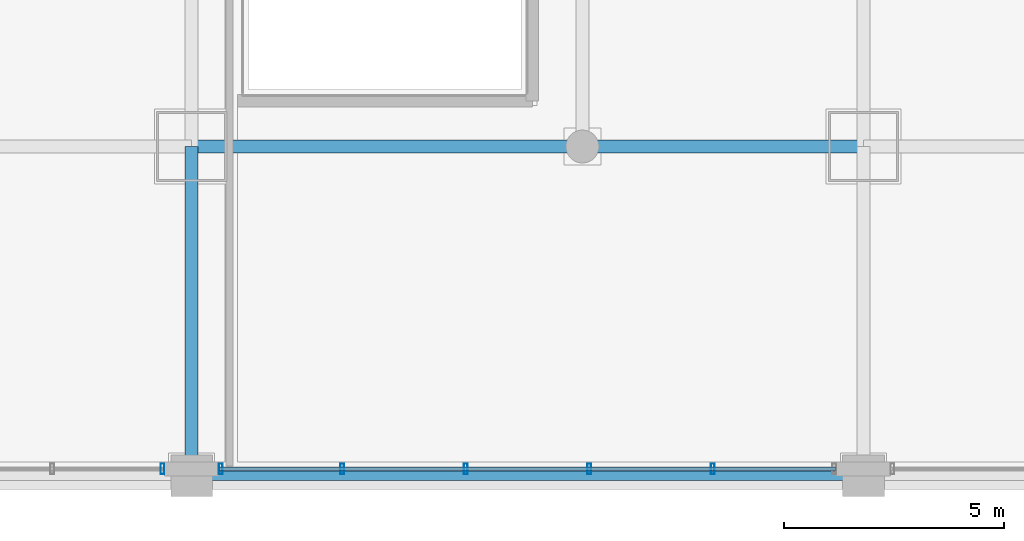
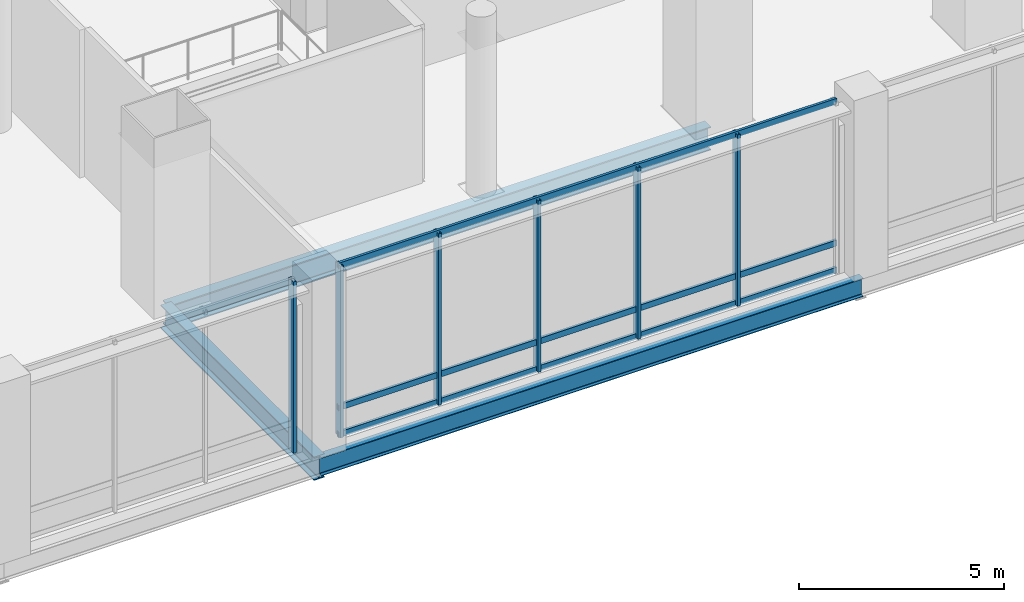
# One storey, part 4 of 39: 9 members, 3 beams, 2 elements without a shape of their own.
"""IFC4 building model written with IfcOpenShell, lengths in metres."""

import ifcopenshell
import ifcopenshell.guid

model = None  # the IFC model being written
_history = None  # IfcOwnerHistory: only IFC2X3 demands one
_inside = {}  # id of a spatial element -> (the spatial element, [elements in it])
_under = {}  # id of a project, library or spatial element -> (it, [spatial elements below it])
_declared = {}  # id of a project -> (the project, [libraries it declares])
_typed = {}  # id of a type object -> (the type object, [elements of that type])
_made_of = {}  # id of a material, layer set ... -> (it, [elements and type objects made of it])


def new_model(schema):
    """Start an empty IFC model of exactly this schema.

    Asked for "IFC4X3", IfcOpenShell would pick the latest addendum, in which some entities
    have other attributes; the version numbers below select the first issue.
    IFC2X3 requires an IfcOwnerHistory on every rooted entity: one is made here for all.
    """
    global model, _history
    if schema == "IFC4X3":
        model = ifcopenshell.file(schema_version=(4, 3, 0, 0))
    else:
        model = ifcopenshell.file(schema=schema)
    _inside.clear()
    _under.clear()
    _declared.clear()
    _typed.clear()
    _made_of.clear()
    _history = None
    if model.schema == "IFC2X3":
        org = make("IfcOrganization", Name="unknown")
        user = make(
            "IfcPersonAndOrganization",
            ThePerson=make("IfcPerson", FamilyName="unknown"),
            TheOrganization=org,
        )
        app = make(
            "IfcApplication",
            ApplicationDeveloper=org,
            Version="unknown",
            ApplicationFullName="unknown",
            ApplicationIdentifier="unknown",
        )
        _history = make(
            "IfcOwnerHistory",
            OwningUser=user,
            OwningApplication=app,
            ChangeAction="ADDED",
            CreationDate=0,
        )
    return model


def make(cls, **values):
    """One entity of the class cls with the attributes given. An attribute that is None is left unset."""
    return model.create_entity(
        cls, **{name: value for name, value in values.items() if value is not None}
    )


def rooted(cls, **values):
    """An entity with a GlobalId (a new one), such as an element, a storey or a relation."""
    return make(cls, GlobalId=ifcopenshell.guid.new(), OwnerHistory=_history, **values)


def si_unit(unit_type, name, prefix=None):
    """IfcSIUnit, for example si_unit("LENGTHUNIT", "METRE", prefix="MILLI")."""
    return make("IfcSIUnit", UnitType=unit_type, Prefix=prefix, Name=name)


def assignment(units):
    """IfcUnitAssignment: the units of a project."""
    return None if units is None else make("IfcUnitAssignment", Units=units)


def point(xyz):
    """IfcCartesianPoint."""
    return None if xyz is None else make("IfcCartesianPoint", Coordinates=xyz)


def direction(xyz):
    """IfcDirection."""
    return None if xyz is None else make("IfcDirection", DirectionRatios=xyz)


def frame(location, z_axis=None, x_axis=None):
    """IfcAxis2Placement3D, a coordinate frame: its origin and axes. An axis left out is left unset."""
    return make(
        "IfcAxis2Placement3D",
        Location=point(location),
        Axis=direction(z_axis),
        RefDirection=direction(x_axis),
    )


def frame_2d(location, x_axis=None):
    """IfcAxis2Placement2D, a coordinate frame in the plane: its origin and x axis."""
    return make(
        "IfcAxis2Placement2D", Location=point(location), RefDirection=direction(x_axis)
    )


def origin():
    """The frame at (0, 0, 0) with its axes left unset."""
    return frame((0.0, 0.0, 0.0))


def origin_2d():
    """The frame at (0, 0) in the plane with its x axis left unset."""
    return frame_2d((0.0, 0.0))


def place(relative_to, where):
    """IfcLocalPlacement: puts the frame where relative to a parent placement (None: the world)."""
    return make(
        "IfcLocalPlacement", PlacementRelTo=relative_to, RelativePlacement=where
    )


def context(
    kind, dimensions, precision=None, world=None, true_north=None, identifier=None
):
    """IfcGeometricRepresentationContext, for example the 3D "Model" context."""
    return make(
        "IfcGeometricRepresentationContext",
        ContextIdentifier=identifier,
        ContextType=kind,
        CoordinateSpaceDimension=dimensions,
        Precision=precision,
        WorldCoordinateSystem=world,
        TrueNorth=true_north,
    )


def subcontext(parent, identifier, kind, view, scale=None):
    """IfcGeometricRepresentationSubContext, for example "Body" below "Model"."""
    return make(
        "IfcGeometricRepresentationSubContext",
        ContextIdentifier=identifier,
        ContextType=kind,
        ParentContext=parent,
        TargetScale=scale,
        TargetView=view,
    )


def project(units=None, contexts=None):
    """IfcProject with its units and contexts."""
    return rooted(
        "IfcProject",
        Name="project",
        RepresentationContexts=contexts,
        UnitsInContext=assignment(units),
    )


def spatial(cls, under=None, at=None, **own):
    """A site, building, storey or space (cls), placed at a placement, below another one or the project."""
    s = rooted(cls, ObjectPlacement=at, **own)
    if under is not None:
        _under.setdefault(under.id(), (under, []))[1].append(s)
    return s


def profile(cls, at=None, kind="AREA", **sizes):
    """A parametric profile (cls). Its sizes go by their IFC names, for example OverallWidth=200.0."""
    return make(cls, ProfileType=kind, Position=at, **sizes)


def hollow_rectangle(**sizes):
    """IfcRectangleHollowProfileDef."""
    return profile("IfcRectangleHollowProfileDef", **sizes)


def i_section(**sizes):
    """IfcIShapeProfileDef."""
    return profile("IfcIShapeProfileDef", **sizes)


def extrude(swept, where, along, depth):
    """IfcExtrudedAreaSolid: the profile swept, set in the frame where, extruded along a direction by depth."""
    return make(
        "IfcExtrudedAreaSolid",
        SweptArea=swept,
        Position=where,
        ExtrudedDirection=direction(along),
        Depth=depth,
    )


def shape(context_of_items, identifier, shape_type, items):
    """IfcShapeRepresentation: the items that make up one representation, for example the "Body"."""
    return make(
        "IfcShapeRepresentation",
        ContextOfItems=context_of_items,
        RepresentationIdentifier=identifier,
        RepresentationType=shape_type,
        Items=items,
    )


def material(Name=None, Category=None):
    """IfcMaterial."""
    return make("IfcMaterial", Name=Name, Category=Category)


def material_profile(
    of_material, cross_section, Name=None, Category=None, Priority=None
):
    """IfcMaterialProfile: a cross section and its material."""
    return make(
        "IfcMaterialProfile",
        Name=Name,
        Material=of_material,
        Profile=cross_section,
        Priority=Priority,
        Category=Category,
    )


def profile_set(profiles, Name=None, composite=None):
    """IfcMaterialProfileSet."""
    return make(
        "IfcMaterialProfileSet",
        Name=Name,
        MaterialProfiles=profiles,
        CompositeProfile=composite,
    )


def made_of(thing, what):
    """Note that an element or type object is made of a material, layer set ...; save() writes the relation."""
    if what is not None:
        _made_of.setdefault(what.id(), (what, []))[1].append(thing)
    return thing


def type_object(cls, material=None, **own):
    """A type object (cls), such as IfcWallType, which elements share."""
    return made_of(rooted(cls, **own), material)


def element(
    cls,
    number,
    at=None,
    inside=None,
    cuts=None,
    type_object=None,
    material=None,
    context=None,
    identifier="Body",
    shape_type=None,
    held_by="IfcProductDefinitionShape",
    body=None,
    shapes=None,
    **own,
):
    """One element of the class cls, such as IfcWall. Its Tag is "e" and its number.

    at: its placement. inside: the storey or other place that contains it. cuts: it is an
    opening in that element (IfcRelVoidsElement). A single representation is given by context,
    identifier, shape_type and body (its items); several are given by shapes. held_by: the class
    of the entity that holds the representations. save() writes the other relations.
    """
    e = rooted(cls, Tag="e%d" % number, ObjectPlacement=at, **own)
    if body is not None:
        shapes = [shape(context, identifier, shape_type, body)]
    if shapes is not None:
        e.Representation = make(held_by, Representations=shapes)
    if inside is not None:
        _inside.setdefault(inside.id(), (inside, []))[1].append(e)
    if cuts is not None:
        rooted(
            "IfcRelVoidsElement", RelatingBuildingElement=cuts, RelatedOpeningElement=e
        )
    if type_object is not None:
        _typed.setdefault(type_object.id(), (type_object, []))[1].append(e)
    return made_of(e, material)


def aggregate(whole, parts):
    """IfcRelAggregates: a whole, such as a stair, and the parts it consists of."""
    return rooted("IfcRelAggregates", RelatingObject=whole, RelatedObjects=parts)


def save(model, path):
    """Write the relations noted so far, then the file.

    IfcRelAggregates (storeys below a building ...), IfcRelContainedInSpatialStructure (elements
    in a storey), IfcRelDefinesByType, IfcRelAssociatesMaterial and IfcRelDeclares: one each for
    every whole, place, type object, material and project.
    """
    for whole, parts in _under.values():
        aggregate(whole, parts)
    for where, things in _inside.values():
        rooted(
            "IfcRelContainedInSpatialStructure",
            RelatedElements=things,
            RelatingStructure=where,
        )
    for kind, things in _typed.values():
        rooted("IfcRelDefinesByType", RelatedObjects=things, RelatingType=kind)
    for what, things in _made_of.values():
        rooted("IfcRelAssociatesMaterial", RelatedObjects=things, RelatingMaterial=what)
    for by, libraries in _declared.values():
        rooted("IfcRelDeclares", RelatingContext=by, RelatedDefinitions=libraries)
    model.write(path)


model = new_model("IFC4")

# Units and contexts
model_context = context("Model", 3, precision=1e-05, world=origin(), true_north=direction((0.0, 1.0)))
body_context = subcontext(model_context, "Body", "Model", "MODEL_VIEW")
ifc_project = project(units=[si_unit("LENGTHUNIT", "METRE"), si_unit("AREAUNIT", "SQUARE_METRE"), si_unit("VOLUMEUNIT", "CUBIC_METRE"), si_unit("PLANEANGLEUNIT", "RADIAN"), si_unit("MASSUNIT", "GRAM", prefix="KILO")], contexts=[model_context])

# Site, building, storey
site_placement = place(None, origin())
site = spatial("IfcSite", under=ifc_project, at=site_placement, CompositionType="ELEMENT")
building_placement = place(site_placement, origin())
building = spatial("IfcBuilding", under=site, at=building_placement, Name="Punatoya Terracotta Tower", CompositionType="ELEMENT")
storey_placement = place(building_placement, frame((0.0, 0.0, 11.39990234375)))
storey = spatial("IfcBuildingStorey", under=building, at=storey_placement, Name="L02", CompositionType="ELEMENT", Elevation=11.39990234375)

# Beams
ifc_material_1 = material(Name="Steel S355", Category="steel")
ifc_material_profile_1 = material_profile(ifc_material_1, i_section(OverallWidth=0.300048828125, OverallDepth=0.699951171875, WebThickness=0.01708984375, FlangeThickness=0.031982421875, FilletRadius=0.01806640625, at=origin_2d()))
ifc_profile_set_1 = profile_set([ifc_material_profile_1], Name="Steel S355")
beam_type_1 = type_object("IfcBeamType", Name="BM-PRI-700", PredefinedType="BEAM", material=ifc_profile_set_1)
beam_1_placement = place(storey_placement, frame((-19.10009765625, -17.5, -0.6298828125), z_axis=(1.0, 0.0, 0.0), x_axis=(0.0, 1.0, 0.0)))
element("IfcBeam", 1, at=beam_1_placement, inside=storey, type_object=beam_type_1, Name="BM-L02-RG-S1", PredefinedType="BEAM", context=body_context, shape_type="SweptSolid", body=[
    extrude(i_section(OverallWidth=0.300048828125, OverallDepth=0.699951171875, WebThickness=0.01708984375, FlangeThickness=0.031982421875, FilletRadius=0.01806640625, at=origin_2d()), origin(), (0.0, 0.0, 1.0), 15.300048828125),
])
beam_2_placement = place(storey_placement, frame((-19.10009765625, -25.0, -0.6298828125), z_axis=(0.0, 1.0, 0.0), x_axis=(-1.0, 0.0, 0.0)))
element("IfcBeam", 2, at=beam_2_placement, inside=storey, type_object=beam_type_1, Name="BM-L02-M19W--25", PredefinedType="BEAM", context=body_context, shape_type="SweptSolid", body=[
    extrude(i_section(OverallWidth=0.300048828125, OverallDepth=0.699951171875, WebThickness=0.01708984375, FlangeThickness=0.031982421875, FilletRadius=0.01806640625, at=origin_2d()), origin(), (0.0, 0.0, 1.0), 7.5),
])
ifc_material_profile_2 = material_profile(ifc_material_1, i_section(OverallWidth=0.2099609375, OverallDepth=0.550048828125, WebThickness=0.010986328125, FlangeThickness=0.01708984375, FilletRadius=0.01806640625, at=origin_2d()))
ifc_profile_set_2 = profile_set([ifc_material_profile_2], Name="Steel S355")
beam_type_2 = type_object("IfcBeamType", Name="BM-SPN-550", PredefinedType="SPANDREL", material=ifc_profile_set_2)
beam_3_placement = place(storey_placement, frame((-19.10009765625, -25.0, -0.554931640625), z_axis=(1.0, 0.0, 0.0), x_axis=(0.0, 1.0, 0.0)))
element("IfcBeam", 3, at=beam_3_placement, inside=storey, type_object=beam_type_2, Name="BM-L02-MIDA-1", PredefinedType="SPANDREL", context=body_context, shape_type="SweptSolid", body=[
    extrude(i_section(OverallWidth=0.2099609375, OverallDepth=0.550048828125, WebThickness=0.010986328125, FlangeThickness=0.01708984375, FilletRadius=0.01806640625, at=origin_2d()), origin(), (0.0, 0.0, 1.0), 15.300048828125),
])

# Curtain wall, member
ifc_material_2 = material(Name="Aluminium 6063-T6 + Double Low-E Glass", Category="aluminium")
curtain_wall_type = type_object("IfcCurtainWallType", Name="CW-POD", PredefinedType="NOTDEFINED", material=ifc_material_2)
curtain_wall_1_placement = place(storey_placement, origin())
curtain_wall_1 = element("IfcCurtainWall", 4, at=curtain_wall_1_placement, inside=storey, type_object=curtain_wall_type, Name="L02 Curtain Wall CWP-L02-S2", PredefinedType="NOTDEFINED")
ifc_material_3 = material(Name="Aluminium 6063-T6", Category="aluminium")
ifc_material_profile_3 = material_profile(ifc_material_3, hollow_rectangle(XDim=0.0849609375, YDim=0.239990234375, WallThickness=0.0048828125, at=origin_2d()))
ifc_profile_set_3 = profile_set([ifc_material_profile_3], Name="Aluminium 6063-T6")
member_type_1 = type_object("IfcMemberType", Name="CW-MUL-POD", PredefinedType="MULLION", material=ifc_profile_set_3)
member_1_placement = place(storey_placement, frame((-19.764892578125, -24.840087890625, 0.0), z_axis=(0.0, 0.0, 1.0), x_axis=(1.0, 0.0, 0.0)))
member_1 = element("IfcMember", 5, at=member_1_placement, type_object=member_type_1, Name="CWP-L02-S2 Mullion 03", PredefinedType="MULLION", context=body_context, shape_type="SweptSolid", body=[
    extrude(hollow_rectangle(XDim=0.0849609375, YDim=0.239990234375, WallThickness=0.0048828125, at=origin_2d()), origin(), (0.0, 0.0, 1.0), 5.1201171875),
])
aggregate(curtain_wall_1, [member_1])

# Curtain wall, members
curtain_wall_2_placement = place(storey_placement, origin())
curtain_wall_2 = element("IfcCurtainWall", 6, at=curtain_wall_2_placement, inside=storey, type_object=curtain_wall_type, Name="L02 Curtain Wall CWP-L02-S3", PredefinedType="NOTDEFINED")
member_2_placement = place(storey_placement, frame((-18.43505859375, -24.840087890625, 0.0), z_axis=(0.0, 0.0, 1.0), x_axis=(1.0, 0.0, 0.0)))
member_2 = element("IfcMember", 7, at=member_2_placement, type_object=member_type_1, Name="CWP-L02-S3 Mullion 00", PredefinedType="MULLION", context=body_context, shape_type="SweptSolid", body=[
    extrude(hollow_rectangle(XDim=0.0849609375, YDim=0.239990234375, WallThickness=0.0048828125, at=origin_2d()), origin(), (0.0, 0.0, 1.0), 5.1201171875),
])
member_3_placement = place(storey_placement, frame((-15.66796875, -24.840087890625, 0.0), z_axis=(0.0, 0.0, 1.0), x_axis=(1.0, 0.0, 0.0)))
member_3 = element("IfcMember", 8, at=member_3_placement, type_object=member_type_1, Name="CWP-L02-S3 Mullion 01", PredefinedType="MULLION", context=body_context, shape_type="SweptSolid", body=[
    extrude(hollow_rectangle(XDim=0.0849609375, YDim=0.239990234375, WallThickness=0.0048828125, at=origin_2d()), origin(), (0.0, 0.0, 1.0), 5.1201171875),
])
member_4_placement = place(storey_placement, frame((-12.85595703125, -24.840087890625, 0.0), z_axis=(0.0, 0.0, 1.0), x_axis=(1.0, 0.0, 0.0)))
member_4 = element("IfcMember", 9, at=member_4_placement, type_object=member_type_1, Name="CWP-L02-S3 Mullion 02", PredefinedType="MULLION", context=body_context, shape_type="SweptSolid", body=[
    extrude(hollow_rectangle(XDim=0.0849609375, YDim=0.239990234375, WallThickness=0.0048828125, at=origin_2d()), origin(), (0.0, 0.0, 1.0), 5.1201171875),
])
member_5_placement = place(storey_placement, frame((-10.0439453125, -24.840087890625, 0.0), z_axis=(0.0, 0.0, 1.0), x_axis=(1.0, 0.0, 0.0)))
member_5 = element("IfcMember", 10, at=member_5_placement, type_object=member_type_1, Name="CWP-L02-S3 Mullion 03", PredefinedType="MULLION", context=body_context, shape_type="SweptSolid", body=[
    extrude(hollow_rectangle(XDim=0.0849609375, YDim=0.239990234375, WallThickness=0.0048828125, at=origin_2d()), origin(), (0.0, 0.0, 1.0), 5.1201171875),
])
member_6_placement = place(storey_placement, frame((-7.23193359375, -24.840087890625, 0.0), z_axis=(0.0, 0.0, 1.0), x_axis=(1.0, 0.0, 0.0)))
member_6 = element("IfcMember", 11, at=member_6_placement, type_object=member_type_1, Name="CWP-L02-S3 Mullion 04", PredefinedType="MULLION", context=body_context, shape_type="SweptSolid", body=[
    extrude(hollow_rectangle(XDim=0.0849609375, YDim=0.239990234375, WallThickness=0.0048828125, at=origin_2d()), origin(), (0.0, 0.0, 1.0), 5.1201171875),
])
ifc_material_profile_4 = material_profile(ifc_material_3, hollow_rectangle(XDim=0.074951171875, YDim=0.175048828125, WallThickness=0.00439453125, at=origin_2d()))
ifc_profile_set_4 = profile_set([ifc_material_profile_4], Name="Aluminium 6063-T6")
member_type_2 = type_object("IfcMemberType", Name="CW-TRN-POD", PredefinedType="USERDEFINED", material=ifc_profile_set_4)
member_7_placement = place(storey_placement, frame((-18.47998046875, -24.840087890625, 0.0400390625), z_axis=(1.0, 0.0, 0.0), x_axis=(0.0, 1.0, 0.0)))
member_7 = element("IfcMember", 12, at=member_7_placement, type_object=member_type_2, Name="CWP-L02-S3 Transom 1", ObjectType="TRANSOM", PredefinedType="USERDEFINED", context=body_context, shape_type="SweptSolid", body=[
    extrude(hollow_rectangle(XDim=0.074951171875, YDim=0.175048828125, WallThickness=0.00439453125, at=origin_2d()), origin(), (0.0, 0.0, 1.0), 14.06005859375),
])
member_8_placement = place(storey_placement, frame((-18.47998046875, -24.840087890625, 0.85009765625), z_axis=(1.0, 0.0, 0.0), x_axis=(0.0, 1.0, 0.0)))
member_8 = element("IfcMember", 13, at=member_8_placement, type_object=member_type_2, Name="CWP-L02-S3 Transom 2", ObjectType="TRANSOM", PredefinedType="USERDEFINED", context=body_context, shape_type="SweptSolid", body=[
    extrude(hollow_rectangle(XDim=0.074951171875, YDim=0.175048828125, WallThickness=0.00439453125, at=origin_2d()), origin(), (0.0, 0.0, 1.0), 14.06005859375),
])
member_9_placement = place(storey_placement, frame((-18.47998046875, -24.840087890625, 5.080078125), z_axis=(1.0, 0.0, 0.0), x_axis=(0.0, 1.0, 0.0)))
member_9 = element("IfcMember", 14, at=member_9_placement, type_object=member_type_2, Name="CWP-L02-S3 Transom 3", ObjectType="TRANSOM", PredefinedType="USERDEFINED", context=body_context, shape_type="SweptSolid", body=[
    extrude(hollow_rectangle(XDim=0.074951171875, YDim=0.175048828125, WallThickness=0.00439453125, at=origin_2d()), origin(), (0.0, 0.0, 1.0), 14.06005859375),
])
aggregate(curtain_wall_2, [member_2, member_3, member_4, member_5, member_6, member_7, member_8, member_9])

save(model, "model.ifc")
